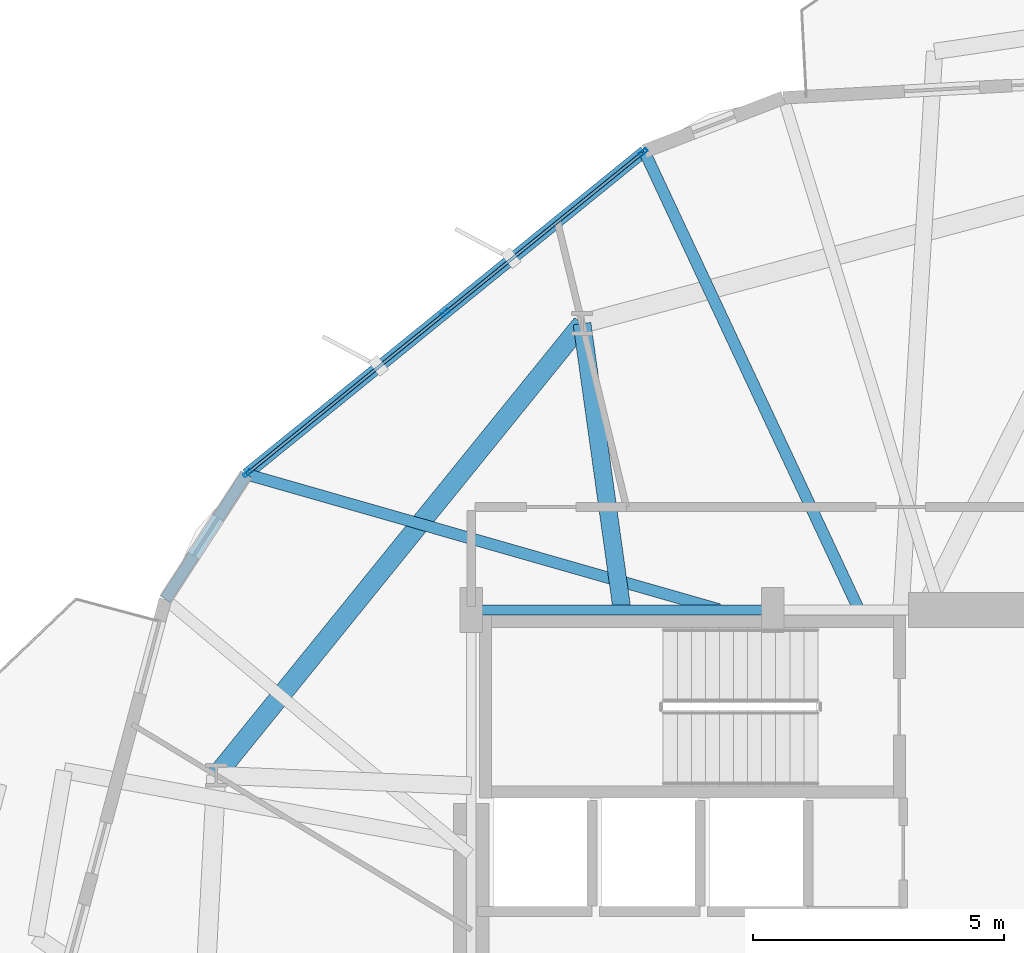
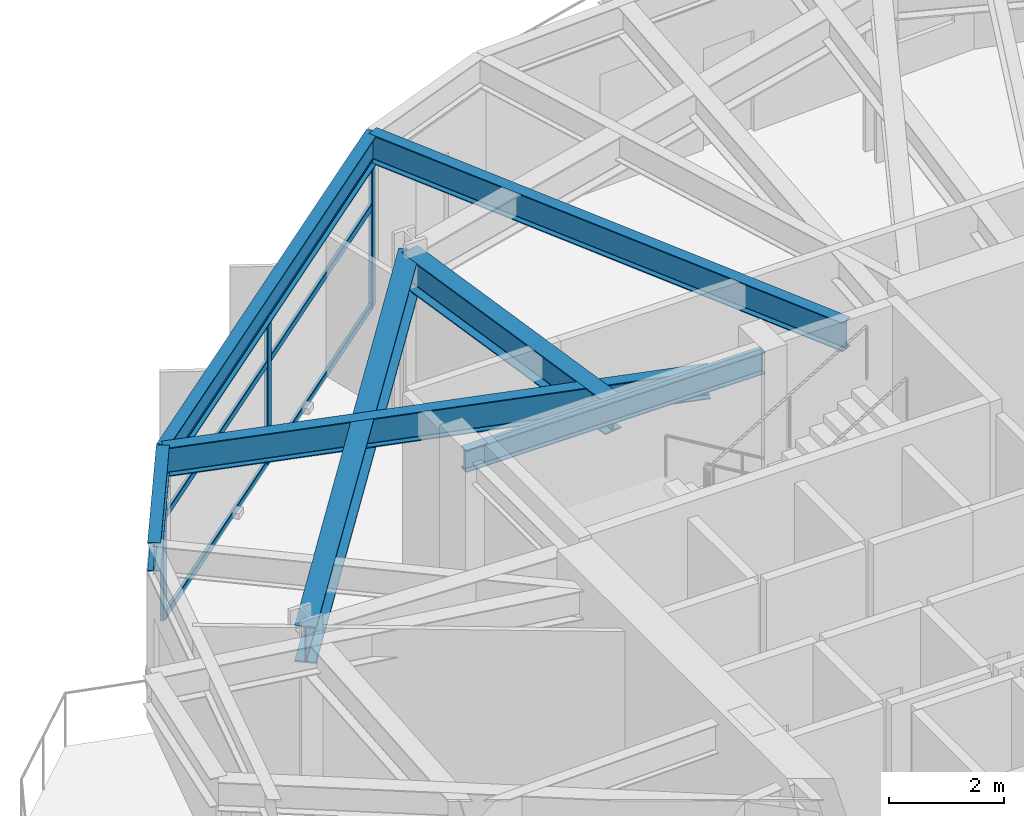
# One storey, part 12 of 23: 9 members, 7 beams, 1 element without a shape of its own.
"""IFC4 building model written with IfcOpenShell, lengths in metres."""

from ifc_helpers import new_model, si_unit, direction, frame, origin, origin_2d, place, context, subcontext, project, spatial, hollow_rectangle, i_section, extrude, material, layer, layer_set, material_profile, profile_set, type_object, element, aggregate, save


model = new_model("IFC4")

# Units and contexts
model_context = context("Model", 3, precision=1e-05, world=origin(), true_north=direction((0.0, 1.0)))
body_context = subcontext(model_context, "Body", "Model", "MODEL_VIEW")
ifc_project = project(units=[si_unit("LENGTHUNIT", "METRE"), si_unit("AREAUNIT", "SQUARE_METRE"), si_unit("VOLUMEUNIT", "CUBIC_METRE"), si_unit("PLANEANGLEUNIT", "RADIAN"), si_unit("MASSUNIT", "GRAM", prefix="KILO")], contexts=[model_context])

# Site, building, storey
site_placement = place(None, origin())
site = spatial("IfcSite", under=ifc_project, at=site_placement, CompositionType="ELEMENT")
building_placement = place(site_placement, origin())
building = spatial("IfcBuilding", under=site, at=building_placement, Name="Soratama Intermodal Tower", CompositionType="ELEMENT")
storey_placement = place(building_placement, frame((0.0, 0.0, 38.60009765625)))
storey = spatial("IfcBuildingStorey", under=building, at=storey_placement, Name="L08", CompositionType="ELEMENT", Elevation=38.60009765625)

# Beams
ifc_material_1 = material(Name="Structural steel ASTM A992 Grade 50", Category="steel")
ifc_material_profile_1 = material_profile(ifc_material_1, i_section(OverallWidth=0.19091796875, OverallDepth=0.4599609375, WebThickness=0.010009765625, FlangeThickness=0.01611328125, FilletRadius=0.010986328125, at=origin_2d()), Name="W18X55")
ifc_profile_set_1 = profile_set([ifc_material_profile_1], Name="Structural steel ASTM A992 Grade 50")
beam_type_1 = type_object("IfcBeamType", Name="BM-FLR-W18X55", PredefinedType="BEAM", material=ifc_profile_set_1)
beam_1_placement = place(storey_placement, frame((38.60009765625, 35.0, 3.469970703125), z_axis=(-1.0, 0.0, 0.0), x_axis=(0.0, -1.0, 0.0)))
element("IfcBeam", 1, at=beam_1_placement, inside=storey, type_object=beam_type_1, Name="BM-L08-CRING-07", PredefinedType="BEAM", context=body_context, shape_type="SweptSolid", body=[
    extrude(i_section(OverallWidth=0.19091796875, OverallDepth=0.4599609375, WebThickness=0.010009765625, FlangeThickness=0.01611328125, FilletRadius=0.010986328125, at=origin_2d()), origin(), (0.0, 0.0, 1.0), 6.0),
])
ifc_material_2 = material(Name="Structural steel ASTM A992 Grade 50", Category="steel")
ifc_material_profile_2 = material_profile(ifc_material_2, i_section(OverallWidth=0.35498046875, OverallDepth=0.695068359375, WebThickness=0.015380859375, FlangeThickness=0.02490234375, FilletRadius=0.01611328125, at=origin_2d()), Name="W27X146")
ifc_profile_set_2 = profile_set([ifc_material_profile_2], Name="Structural steel ASTM A992 Grade 50")
beam_type_2 = type_object("IfcBeamType", Name="BM-RING-W27X146", PredefinedType="BEAM", material=ifc_profile_set_2)
beam_2_placement = place(storey_placement, frame((35.60009765625, 35.0, 3.352294921875), z_axis=(-0.138332473065, 0.990385847484, 0.0), x_axis=(-0.990385847484, -0.138332473065, 0.0)))
element("IfcBeam", 2, at=beam_2_placement, inside=storey, type_object=beam_type_2, Name="BM-L08-RAD-04", PredefinedType="BEAM", context=body_context, shape_type="SweptSolid", body=[
    extrude(i_section(OverallWidth=0.35498046875, OverallDepth=0.695068359375, WebThickness=0.015380859375, FlangeThickness=0.02490234375, FilletRadius=0.01611328125, at=origin_2d()), origin(), (0.0, 0.0, 1.0), 5.75537109375),
])
ifc_material_3 = material(Name="Structural steel ASTM A992 Grade 50", Category="steel")
ifc_material_profile_3 = material_profile(ifc_material_3, i_section(OverallWidth=0.382080078125, OverallDepth=0.779052734375, WebThickness=0.01806640625, FlangeThickness=0.030029296875, FilletRadius=0.01806640625, at=origin_2d()), Name="W30X191")
ifc_profile_set_3 = profile_set([ifc_material_profile_3], Name="Structural steel ASTM A992 Grade 50")
beam_type_3 = type_object("IfcBeamType", Name="BM-RING-W30X191", PredefinedType="BEAM", material=ifc_profile_set_3)
beam_3_placement = place(storey_placement, frame((34.803955078125, 40.699951171875, 3.310302734375), z_axis=(-0.629334198857, -0.777134779912, 0.0), x_axis=(0.777134779912, -0.629334198857, 0.0)))
element("IfcBeam", 3, at=beam_3_placement, inside=storey, type_object=beam_type_3, Name="BM-L08-RING-04", PredefinedType="BEAM", context=body_context, shape_type="SweptSolid", body=[
    extrude(i_section(OverallWidth=0.382080078125, OverallDepth=0.779052734375, WebThickness=0.01806640625, FlangeThickness=0.030029296875, FilletRadius=0.01806640625, at=origin_2d()), origin(), (0.0, 0.0, 1.0), 11.5693359375),
])
ifc_material_4 = material(Name="Structural steel ASTM A992 Grade 50", Category="steel")
ifc_material_profile_4 = material_profile(ifc_material_4, i_section(OverallWidth=0.22900390625, OverallDepth=0.612060546875, WebThickness=0.011962890625, FlangeThickness=0.01953125, FilletRadius=0.012939453125, at=origin_2d()), Name="W24X84")
ifc_profile_set_4 = profile_set([ifc_material_profile_4], Name="Structural steel ASTM A992 Grade 50")
beam_type_4 = type_object("IfcBeamType", Name="BM-SPN-W24X84", PredefinedType="SPANDREL", material=ifc_profile_set_4)
beam_4_placement = place(storey_placement, frame((36.0439453125, 44.1298828125, 3.393798828125), z_axis=(-0.77648575749, -0.63013480178, 0.0), x_axis=(0.63013480178, -0.77648575749, 0.0)))
element("IfcBeam", 4, at=beam_4_placement, inside=storey, type_object=beam_type_4, Name="BS-L08-F04", PredefinedType="SPANDREL", context=body_context, shape_type="SweptSolid", body=[
    extrude(i_section(OverallWidth=0.22900390625, OverallDepth=0.612060546875, WebThickness=0.011962890625, FlangeThickness=0.01953125, FilletRadius=0.012939453125, at=origin_2d()), origin(), (0.0, 0.0, 1.0), 10.200927734375),
])
beam_5_placement = place(storey_placement, frame((28.123046875, 37.701904296875, 3.393798828125), z_axis=(-0.543845003725, -0.839185683817, 0.0), x_axis=(0.839185683817, -0.543845003725, 0.0)))
element("IfcBeam", 5, at=beam_5_placement, inside=storey, type_object=beam_type_4, Name="BS-L08-CRN04", PredefinedType="SPANDREL", context=body_context, shape_type="SweptSolid", body=[
    extrude(i_section(OverallWidth=0.22900390625, OverallDepth=0.612060546875, WebThickness=0.011962890625, FlangeThickness=0.01953125, FilletRadius=0.012939453125, at=origin_2d()), origin(), (0.0, 0.0, 1.0), 2.966064453125),
])
ifc_material_5 = material(Name="Structural steel ASTM A992 Grade 50", Category="steel")
ifc_material_profile_5 = material_profile(ifc_material_5, i_section(OverallWidth=0.22900390625, OverallDepth=0.612060546875, WebThickness=0.011962890625, FlangeThickness=0.01953125, FilletRadius=0.012939453125, at=origin_2d()), Name="W24X84")
ifc_profile_set_5 = profile_set([ifc_material_profile_5], Name="Structural steel ASTM A992 Grade 50")
beam_type_5 = type_object("IfcBeamType", Name="BM-TIE-W24X84", PredefinedType="BEAM", material=ifc_profile_set_5)
beam_6_placement = place(storey_placement, frame((40.302001953125, 35.035888671875, 3.393798828125), z_axis=(-0.424045761118, 0.905640763481, 0.0), x_axis=(-0.905640763481, -0.424045761118, 0.0)))
element("IfcBeam", 6, at=beam_6_placement, inside=storey, type_object=beam_type_5, Name="BM-L08-TIE0-04", PredefinedType="BEAM", context=body_context, shape_type="SweptSolid", body=[
    extrude(i_section(OverallWidth=0.22900390625, OverallDepth=0.612060546875, WebThickness=0.011962890625, FlangeThickness=0.01953125, FilletRadius=0.012939453125, at=origin_2d()), origin(), (0.0, 0.0, 1.0), 10.04150390625),
])
beam_7_placement = place(storey_placement, frame((37.530029296875, 35.010986328125, 3.393798828125), z_axis=(-0.961437272967, 0.275024308288, 0.0), x_axis=(-0.275024308288, -0.961437272967, 0.0)))
element("IfcBeam", 7, at=beam_7_placement, inside=storey, type_object=beam_type_5, Name="BM-L08-TIE1-04", PredefinedType="BEAM", context=body_context, shape_type="SweptSolid", body=[
    extrude(i_section(OverallWidth=0.22900390625, OverallDepth=0.612060546875, WebThickness=0.011962890625, FlangeThickness=0.01953125, FilletRadius=0.012939453125, at=origin_2d()), origin(), (0.0, 0.0, 1.0), 9.7841796875),
])

# Curtain wall, members
ifc_material_6 = material(Name="Double-glazed aluminium curtain wall", Category="aluminium")
ifc_layer = layer(ifc_material_6, 0.159912109375)
ifc_layer_set = layer_set([ifc_layer], Name="Double-glazed aluminium curtain wall")
curtain_wall_type = type_object("IfcCurtainWallType", Name="CW-SYS-2", PredefinedType="NOTDEFINED", material=ifc_layer_set)
curtain_wall_placement = place(storey_placement, origin())
curtain_wall = element("IfcCurtainWall", 8, at=curtain_wall_placement, inside=storey, type_object=curtain_wall_type, Name="L08 Faceted Curtain Wall F04", PredefinedType="NOTDEFINED")
ifc_material_7 = material(Name="Anodised aluminium AA 6063-T6", Category="aluminium")
ifc_material_profile_6 = material_profile(ifc_material_7, hollow_rectangle(XDim=0.074951171875, YDim=0.179931640625, WallThickness=0.006103515625, InnerFilletRadius=0.006103515625, OuterFilletRadius=0.011962890625, at=origin_2d()), Name="CWM180X75X6")
ifc_profile_set_6 = profile_set([ifc_material_profile_6], Name="Anodised aluminium AA 6063-T6")
member_type_1 = type_object("IfcMemberType", Name="MT-CWM-2", PredefinedType="MULLION", material=ifc_profile_set_6)
member_1_placement = place(storey_placement, frame((36.020751953125, 44.111572265625, 0.0), z_axis=(0.0, 0.0, 1.0), x_axis=(0.630137110641, -0.776483883795, 0.0)))
member_1 = element("IfcMember", 9, at=member_1_placement, type_object=member_type_1, Name="CW-2 mullion 1", PredefinedType="MULLION", context=body_context, shape_type="SweptSolid", body=[
    extrude(hollow_rectangle(XDim=0.074951171875, YDim=0.179931640625, WallThickness=0.006103515625, InnerFilletRadius=0.006103515625, OuterFilletRadius=0.011962890625, at=origin_2d()), origin(), (0.0, 0.0, 1.0), 3.078857421875),
])
member_2_placement = place(storey_placement, frame((32.08349609375, 40.91650390625, 0.0), z_axis=(0.0, 0.0, 1.0), x_axis=(0.630137110641, -0.776483883795, 0.0)))
member_2 = element("IfcMember", 10, at=member_2_placement, type_object=member_type_1, Name="CW-2 mullion 2", PredefinedType="MULLION", context=body_context, shape_type="SweptSolid", body=[
    extrude(hollow_rectangle(XDim=0.074951171875, YDim=0.179931640625, WallThickness=0.006103515625, InnerFilletRadius=0.006103515625, OuterFilletRadius=0.011962890625, at=origin_2d()), origin(), (0.0, 0.0, 1.0), 3.078857421875),
])
member_3_placement = place(storey_placement, frame((28.146240234375, 37.72119140625, 0.0), z_axis=(0.0, 0.0, 1.0), x_axis=(0.630137110641, -0.776483883795, 0.0)))
member_3 = element("IfcMember", 11, at=member_3_placement, type_object=member_type_1, Name="CW-2 mullion 3", PredefinedType="MULLION", context=body_context, shape_type="SweptSolid", body=[
    extrude(hollow_rectangle(XDim=0.074951171875, YDim=0.179931640625, WallThickness=0.006103515625, InnerFilletRadius=0.006103515625, OuterFilletRadius=0.011962890625, at=origin_2d()), origin(), (0.0, 0.0, 1.0), 3.078857421875),
])
ifc_material_8 = material(Name="Anodised aluminium AA 6063-T6", Category="aluminium")
ifc_material_profile_7 = material_profile(ifc_material_8, hollow_rectangle(XDim=0.06494140625, YDim=0.14990234375, WallThickness=0.0048828125, InnerFilletRadius=0.0048828125, OuterFilletRadius=0.010009765625, at=origin_2d()), Name="CWT150X65X5")
ifc_profile_set_7 = profile_set([ifc_material_profile_7], Name="Anodised aluminium AA 6063-T6")
member_type_2 = type_object("IfcMemberType", Name="TT-CWT-1", PredefinedType="USERDEFINED", material=ifc_profile_set_7)
member_4_placement = place(storey_placement, frame((35.997314453125, 44.0927734375, 0.02978515625), z_axis=(-0.77647156946, -0.630152284627, 0.0), x_axis=(0.630152284627, -0.77647156946, 0.0)))
member_4 = element("IfcMember", 12, at=member_4_placement, type_object=member_type_2, Name="CW-2 transom 1.1", ObjectType="TRANSOM", PredefinedType="USERDEFINED", context=body_context, shape_type="SweptSolid", body=[
    extrude(hollow_rectangle(XDim=0.06494140625, YDim=0.14990234375, WallThickness=0.0048828125, InnerFilletRadius=0.0048828125, OuterFilletRadius=0.010009765625, at=origin_2d()), origin(), (0.0, 0.0, 1.0), 5.0107421875),
])
member_5_placement = place(storey_placement, frame((35.997314453125, 44.0927734375, 2.14990234375), z_axis=(-0.77647156946, -0.630152284627, 0.0), x_axis=(0.630152284627, -0.77647156946, 0.0)))
member_5 = element("IfcMember", 13, at=member_5_placement, type_object=member_type_2, Name="CW-2 transom 1.2", ObjectType="TRANSOM", PredefinedType="USERDEFINED", context=body_context, shape_type="SweptSolid", body=[
    extrude(hollow_rectangle(XDim=0.06494140625, YDim=0.14990234375, WallThickness=0.0048828125, InnerFilletRadius=0.0048828125, OuterFilletRadius=0.010009765625, at=origin_2d()), origin(), (0.0, 0.0, 1.0), 5.0107421875),
])
member_6_placement = place(storey_placement, frame((35.997314453125, 44.0927734375, 3.048828125), z_axis=(-0.77647156946, -0.630152284627, 0.0), x_axis=(0.630152284627, -0.77647156946, 0.0)))
member_6 = element("IfcMember", 14, at=member_6_placement, type_object=member_type_2, Name="CW-2 transom 1.3", ObjectType="TRANSOM", PredefinedType="USERDEFINED", context=body_context, shape_type="SweptSolid", body=[
    extrude(hollow_rectangle(XDim=0.06494140625, YDim=0.14990234375, WallThickness=0.0048828125, InnerFilletRadius=0.0048828125, OuterFilletRadius=0.010009765625, at=origin_2d()), origin(), (0.0, 0.0, 1.0), 5.0107421875),
])
member_7_placement = place(storey_placement, frame((32.060302734375, 40.8974609375, 0.02978515625), z_axis=(-0.776495410243, -0.630122906957, 0.0), x_axis=(0.630122906957, -0.776495410243, 0.0)))
member_7 = element("IfcMember", 15, at=member_7_placement, type_object=member_type_2, Name="CW-2 transom 2.1", ObjectType="TRANSOM", PredefinedType="USERDEFINED", context=body_context, shape_type="SweptSolid", body=[
    extrude(hollow_rectangle(XDim=0.06494140625, YDim=0.14990234375, WallThickness=0.0048828125, InnerFilletRadius=0.0048828125, OuterFilletRadius=0.010009765625, at=origin_2d()), origin(), (0.0, 0.0, 1.0), 5.010498046875),
])
member_8_placement = place(storey_placement, frame((32.060302734375, 40.8974609375, 2.14990234375), z_axis=(-0.776495410243, -0.630122906957, 0.0), x_axis=(0.630122906957, -0.776495410243, 0.0)))
member_8 = element("IfcMember", 16, at=member_8_placement, type_object=member_type_2, Name="CW-2 transom 2.2", ObjectType="TRANSOM", PredefinedType="USERDEFINED", context=body_context, shape_type="SweptSolid", body=[
    extrude(hollow_rectangle(XDim=0.06494140625, YDim=0.14990234375, WallThickness=0.0048828125, InnerFilletRadius=0.0048828125, OuterFilletRadius=0.010009765625, at=origin_2d()), origin(), (0.0, 0.0, 1.0), 5.010498046875),
])
member_9_placement = place(storey_placement, frame((32.060302734375, 40.8974609375, 3.048828125), z_axis=(-0.776495410243, -0.630122906957, 0.0), x_axis=(0.630122906957, -0.776495410243, 0.0)))
member_9 = element("IfcMember", 17, at=member_9_placement, type_object=member_type_2, Name="CW-2 transom 2.3", ObjectType="TRANSOM", PredefinedType="USERDEFINED", context=body_context, shape_type="SweptSolid", body=[
    extrude(hollow_rectangle(XDim=0.06494140625, YDim=0.14990234375, WallThickness=0.0048828125, InnerFilletRadius=0.0048828125, OuterFilletRadius=0.010009765625, at=origin_2d()), origin(), (0.0, 0.0, 1.0), 5.010498046875),
])
aggregate(curtain_wall, [member_1, member_2, member_3, member_4, member_5, member_6, member_7, member_8, member_9])

save(model, "model.ifc")
